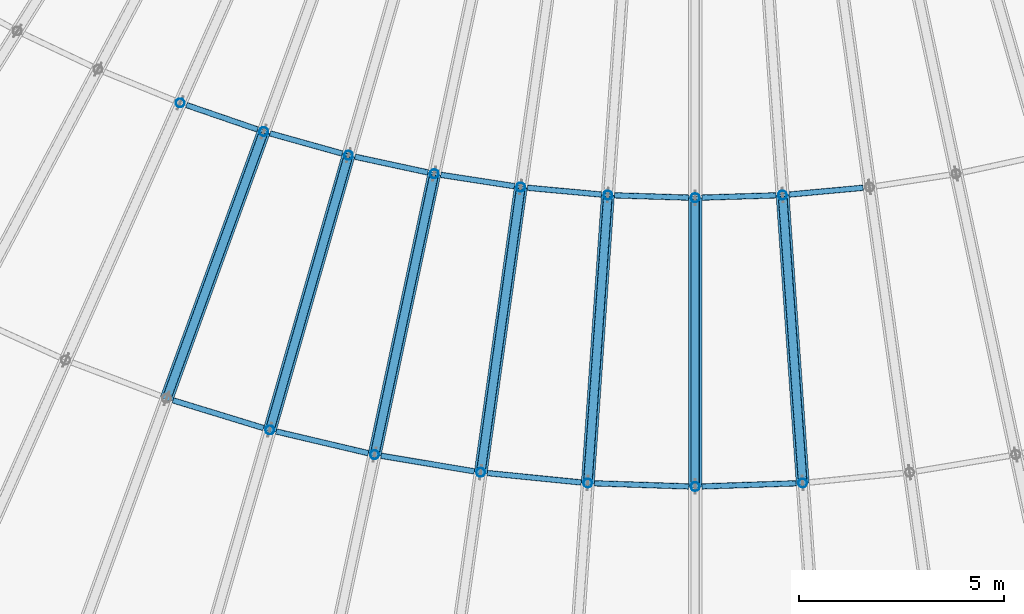
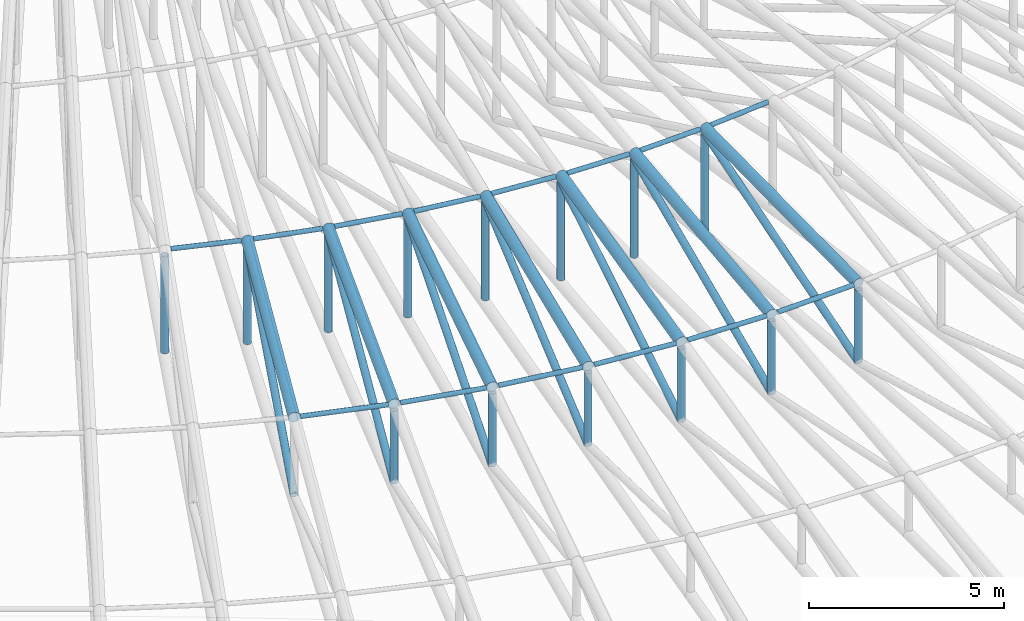
# One storey, part 30 of 163: 42 members.
"""IFC4 building model written with IfcOpenShell, lengths in metres."""

import ifcopenshell
import ifcopenshell.guid

model = None  # the IFC model being written
_history = None  # IfcOwnerHistory: only IFC2X3 demands one
_inside = {}  # id of a spatial element -> (the spatial element, [elements in it])
_under = {}  # id of a project, library or spatial element -> (it, [spatial elements below it])
_declared = {}  # id of a project -> (the project, [libraries it declares])
_typed = {}  # id of a type object -> (the type object, [elements of that type])
_made_of = {}  # id of a material, layer set ... -> (it, [elements and type objects made of it])


def new_model(schema):
    """Start an empty IFC model of exactly this schema.

    Asked for "IFC4X3", IfcOpenShell would pick the latest addendum, in which some entities
    have other attributes; the version numbers below select the first issue.
    IFC2X3 requires an IfcOwnerHistory on every rooted entity: one is made here for all.
    """
    global model, _history
    if schema == "IFC4X3":
        model = ifcopenshell.file(schema_version=(4, 3, 0, 0))
    else:
        model = ifcopenshell.file(schema=schema)
    _inside.clear()
    _under.clear()
    _declared.clear()
    _typed.clear()
    _made_of.clear()
    _history = None
    if model.schema == "IFC2X3":
        org = make("IfcOrganization", Name="unknown")
        user = make(
            "IfcPersonAndOrganization",
            ThePerson=make("IfcPerson", FamilyName="unknown"),
            TheOrganization=org,
        )
        app = make(
            "IfcApplication",
            ApplicationDeveloper=org,
            Version="unknown",
            ApplicationFullName="unknown",
            ApplicationIdentifier="unknown",
        )
        _history = make(
            "IfcOwnerHistory",
            OwningUser=user,
            OwningApplication=app,
            ChangeAction="ADDED",
            CreationDate=0,
        )
    return model


def make(cls, **values):
    """One entity of the class cls with the attributes given. An attribute that is None is left unset."""
    return model.create_entity(
        cls, **{name: value for name, value in values.items() if value is not None}
    )


def rooted(cls, **values):
    """An entity with a GlobalId (a new one), such as an element, a storey or a relation."""
    return make(cls, GlobalId=ifcopenshell.guid.new(), OwnerHistory=_history, **values)


def si_unit(unit_type, name, prefix=None):
    """IfcSIUnit, for example si_unit("LENGTHUNIT", "METRE", prefix="MILLI")."""
    return make("IfcSIUnit", UnitType=unit_type, Prefix=prefix, Name=name)


def assignment(units):
    """IfcUnitAssignment: the units of a project."""
    return None if units is None else make("IfcUnitAssignment", Units=units)


def point(xyz):
    """IfcCartesianPoint."""
    return None if xyz is None else make("IfcCartesianPoint", Coordinates=xyz)


def direction(xyz):
    """IfcDirection."""
    return None if xyz is None else make("IfcDirection", DirectionRatios=xyz)


def frame(location, z_axis=None, x_axis=None):
    """IfcAxis2Placement3D, a coordinate frame: its origin and axes. An axis left out is left unset."""
    return make(
        "IfcAxis2Placement3D",
        Location=point(location),
        Axis=direction(z_axis),
        RefDirection=direction(x_axis),
    )


def frame_2d(location, x_axis=None):
    """IfcAxis2Placement2D, a coordinate frame in the plane: its origin and x axis."""
    return make(
        "IfcAxis2Placement2D", Location=point(location), RefDirection=direction(x_axis)
    )


def origin():
    """The frame at (0, 0, 0) with its axes left unset."""
    return frame((0.0, 0.0, 0.0))


def origin_2d():
    """The frame at (0, 0) in the plane with its x axis left unset."""
    return frame_2d((0.0, 0.0))


def place(relative_to, where):
    """IfcLocalPlacement: puts the frame where relative to a parent placement (None: the world)."""
    return make(
        "IfcLocalPlacement", PlacementRelTo=relative_to, RelativePlacement=where
    )


def context(
    kind, dimensions, precision=None, world=None, true_north=None, identifier=None
):
    """IfcGeometricRepresentationContext, for example the 3D "Model" context."""
    return make(
        "IfcGeometricRepresentationContext",
        ContextIdentifier=identifier,
        ContextType=kind,
        CoordinateSpaceDimension=dimensions,
        Precision=precision,
        WorldCoordinateSystem=world,
        TrueNorth=true_north,
    )


def subcontext(parent, identifier, kind, view, scale=None):
    """IfcGeometricRepresentationSubContext, for example "Body" below "Model"."""
    return make(
        "IfcGeometricRepresentationSubContext",
        ContextIdentifier=identifier,
        ContextType=kind,
        ParentContext=parent,
        TargetScale=scale,
        TargetView=view,
    )


def project(units=None, contexts=None):
    """IfcProject with its units and contexts."""
    return rooted(
        "IfcProject",
        Name="project",
        RepresentationContexts=contexts,
        UnitsInContext=assignment(units),
    )


def spatial(cls, under=None, at=None, **own):
    """A site, building, storey or space (cls), placed at a placement, below another one or the project."""
    s = rooted(cls, ObjectPlacement=at, **own)
    if under is not None:
        _under.setdefault(under.id(), (under, []))[1].append(s)
    return s


def profile(cls, at=None, kind="AREA", **sizes):
    """A parametric profile (cls). Its sizes go by their IFC names, for example OverallWidth=200.0."""
    return make(cls, ProfileType=kind, Position=at, **sizes)


def hollow_circle(**sizes):
    """IfcCircleHollowProfileDef."""
    return profile("IfcCircleHollowProfileDef", **sizes)


def extrude(swept, where, along, depth):
    """IfcExtrudedAreaSolid: the profile swept, set in the frame where, extruded along a direction by depth."""
    return make(
        "IfcExtrudedAreaSolid",
        SweptArea=swept,
        Position=where,
        ExtrudedDirection=direction(along),
        Depth=depth,
    )


def shape(context_of_items, identifier, shape_type, items):
    """IfcShapeRepresentation: the items that make up one representation, for example the "Body"."""
    return make(
        "IfcShapeRepresentation",
        ContextOfItems=context_of_items,
        RepresentationIdentifier=identifier,
        RepresentationType=shape_type,
        Items=items,
    )


def material(Name=None, Category=None):
    """IfcMaterial."""
    return make("IfcMaterial", Name=Name, Category=Category)


def material_profile(
    of_material, cross_section, Name=None, Category=None, Priority=None
):
    """IfcMaterialProfile: a cross section and its material."""
    return make(
        "IfcMaterialProfile",
        Name=Name,
        Material=of_material,
        Profile=cross_section,
        Priority=Priority,
        Category=Category,
    )


def profile_set(profiles, Name=None, composite=None):
    """IfcMaterialProfileSet."""
    return make(
        "IfcMaterialProfileSet",
        Name=Name,
        MaterialProfiles=profiles,
        CompositeProfile=composite,
    )


def made_of(thing, what):
    """Note that an element or type object is made of a material, layer set ...; save() writes the relation."""
    if what is not None:
        _made_of.setdefault(what.id(), (what, []))[1].append(thing)
    return thing


def type_object(cls, material=None, **own):
    """A type object (cls), such as IfcWallType, which elements share."""
    return made_of(rooted(cls, **own), material)


def element(
    cls,
    number,
    at=None,
    inside=None,
    cuts=None,
    type_object=None,
    material=None,
    context=None,
    identifier="Body",
    shape_type=None,
    held_by="IfcProductDefinitionShape",
    body=None,
    shapes=None,
    **own,
):
    """One element of the class cls, such as IfcWall. Its Tag is "e" and its number.

    at: its placement. inside: the storey or other place that contains it. cuts: it is an
    opening in that element (IfcRelVoidsElement). A single representation is given by context,
    identifier, shape_type and body (its items); several are given by shapes. held_by: the class
    of the entity that holds the representations. save() writes the other relations.
    """
    e = rooted(cls, Tag="e%d" % number, ObjectPlacement=at, **own)
    if body is not None:
        shapes = [shape(context, identifier, shape_type, body)]
    if shapes is not None:
        e.Representation = make(held_by, Representations=shapes)
    if inside is not None:
        _inside.setdefault(inside.id(), (inside, []))[1].append(e)
    if cuts is not None:
        rooted(
            "IfcRelVoidsElement", RelatingBuildingElement=cuts, RelatedOpeningElement=e
        )
    if type_object is not None:
        _typed.setdefault(type_object.id(), (type_object, []))[1].append(e)
    return made_of(e, material)


def aggregate(whole, parts):
    """IfcRelAggregates: a whole, such as a stair, and the parts it consists of."""
    return rooted("IfcRelAggregates", RelatingObject=whole, RelatedObjects=parts)


def save(model, path):
    """Write the relations noted so far, then the file.

    IfcRelAggregates (storeys below a building ...), IfcRelContainedInSpatialStructure (elements
    in a storey), IfcRelDefinesByType, IfcRelAssociatesMaterial and IfcRelDeclares: one each for
    every whole, place, type object, material and project.
    """
    for whole, parts in _under.values():
        aggregate(whole, parts)
    for where, things in _inside.values():
        rooted(
            "IfcRelContainedInSpatialStructure",
            RelatedElements=things,
            RelatingStructure=where,
        )
    for kind, things in _typed.values():
        rooted("IfcRelDefinesByType", RelatedObjects=things, RelatingType=kind)
    for what, things in _made_of.values():
        rooted("IfcRelAssociatesMaterial", RelatedObjects=things, RelatingMaterial=what)
    for by, libraries in _declared.values():
        rooted("IfcRelDeclares", RelatingContext=by, RelatedDefinitions=libraries)
    model.write(path)


model = new_model("IFC4")

# Units and contexts
model_context = context("Model", 3, precision=1e-05, world=origin(), true_north=direction((0.0, 1.0)))
body_context = subcontext(model_context, "Body", "Model", "MODEL_VIEW")
ifc_project = project(units=[si_unit("LENGTHUNIT", "METRE"), si_unit("AREAUNIT", "SQUARE_METRE"), si_unit("VOLUMEUNIT", "CUBIC_METRE"), si_unit("PLANEANGLEUNIT", "RADIAN"), si_unit("MASSUNIT", "GRAM", prefix="KILO")], contexts=[model_context])

# Site, building, storey
site_placement = place(None, origin())
site = spatial("IfcSite", under=ifc_project, at=site_placement, CompositionType="ELEMENT")
building_placement = place(site_placement, origin())
building = spatial("IfcBuilding", under=site, at=building_placement, Name="Rain Tree Exposition and Congress Centre", CompositionType="ELEMENT")
storey_placement = place(building_placement, frame((0.0, 0.0, 10.5)))
storey = spatial("IfcBuildingStorey", under=building, at=storey_placement, Name="L02", CompositionType="ELEMENT", Elevation=10.5)

# Members
ifc_material_1 = material(Name="Steel S355J2H", Category="steel")
ifc_material_profile_1 = material_profile(ifc_material_1, hollow_circle(Radius=0.108154296875, WallThickness=0.008056640625, at=origin_2d()), Name="CHS 216x8")
ifc_profile_set_1 = profile_set([ifc_material_profile_1], Name="Steel S355J2H")
member_type_1 = type_object("IfcMemberType", Name="Steel brace member CHS 216x8", PredefinedType="BRACE", material=ifc_profile_set_1)
member_1_placement = place(storey_placement, frame((188.713134765625, 31.793701171875, 0.318603515625), z_axis=(0.313006046019, 0.859935451377, 0.403160308836), x_axis=(-0.939687304086, 0.342034750487, 0.0)))
element("IfcMember", 1, at=member_1_placement, inside=storey, type_object=member_type_1, Name="TD5-3", PredefinedType="BRACE", context=body_context, shape_type="SweptSolid", body=[
    extrude(hollow_circle(Radius=0.108154296875, WallThickness=0.008056640625, at=origin_2d()), origin(), (0.0, 0.0, 1.0), 7.5634765625),
])
member_2_placement = place(storey_placement, frame((191.226806640625, 31.024169921875, 0.318603515625), z_axis=(0.252369424601, 0.880132351862, 0.402090433526), x_axis=(-0.961262988359, 0.275632848571, 0.0)))
element("IfcMember", 2, at=member_2_placement, inside=storey, type_object=member_type_1, Name="TD6-3", PredefinedType="BRACE", context=body_context, shape_type="SweptSolid", body=[
    extrude(hollow_circle(Radius=0.108154296875, WallThickness=0.008056640625, at=origin_2d()), origin(), (0.0, 0.0, 1.0), 7.608642578125),
])
member_3_placement = place(storey_placement, frame((193.782470703125, 30.421630859375, 0.318603515625), z_axis=(0.190425371887, 0.895935242397, 0.401295675497), x_axis=(-0.978150163492, 0.207899633622, 0.0)))
element("IfcMember", 3, at=member_3_placement, inside=storey, type_object=member_type_1, Name="TD7-3", PredefinedType="BRACE", context=body_context, shape_type="SweptSolid", body=[
    extrude(hollow_circle(Radius=0.108154296875, WallThickness=0.008056640625, at=origin_2d()), origin(), (0.0, 0.0, 1.0), 7.642578125),
])
member_4_placement = place(storey_placement, frame((196.370361328125, 29.9892578125, 0.318603515625), z_axis=(0.12751623293, 0.907263347577, 0.400765303493), x_axis=(-0.990266762271, 0.139182396663, 0.0)))
element("IfcMember", 4, at=member_4_placement, inside=storey, type_object=member_type_1, Name="TD8-3", PredefinedType="BRACE", context=body_context, shape_type="SweptSolid", body=[
    extrude(hollow_circle(Radius=0.108154296875, WallThickness=0.008056640625, at=origin_2d()), origin(), (0.0, 0.0, 1.0), 7.666015625),
])
member_5_placement = place(storey_placement, frame((198.979736328125, 29.72900390625, 0.318603515625), z_axis=(0.06392819778, 0.914100112956, 0.400417493403), x_axis=(-0.997563435782, 0.069765260628, 0.0)))
element("IfcMember", 5, at=member_5_placement, inside=storey, type_object=member_type_1, Name="TD9-3", PredefinedType="BRACE", context=body_context, shape_type="SweptSolid", body=[
    extrude(hollow_circle(Radius=0.108154296875, WallThickness=0.008056640625, at=origin_2d()), origin(), (0.0, 0.0, 1.0), 7.679931640625),
])
member_6_placement = place(storey_placement, frame((201.60009765625, 29.64208984375, 0.318603515625), z_axis=(0.0, 0.916370115858, 0.400332125569), x_axis=(-1.0, 0.0, 0.0)))
element("IfcMember", 6, at=member_6_placement, inside=storey, type_object=member_type_1, Name="TD10-3", PredefinedType="BRACE", context=body_context, shape_type="SweptSolid", body=[
    extrude(hollow_circle(Radius=0.108154296875, WallThickness=0.008056640625, at=origin_2d()), origin(), (0.0, 0.0, 1.0), 7.6845703125),
])
member_7_placement = place(storey_placement, frame((204.22021484375, 29.72900390625, 0.318603515625), z_axis=(-0.06392819778, 0.914100112956, 0.400417493403), x_axis=(-0.997563435782, -0.069765260628, 0.0)))
element("IfcMember", 7, at=member_7_placement, inside=storey, type_object=member_type_1, Name="TD11-3", PredefinedType="BRACE", context=body_context, shape_type="SweptSolid", body=[
    extrude(hollow_circle(Radius=0.108154296875, WallThickness=0.008056640625, at=origin_2d()), origin(), (0.0, 0.0, 1.0), 7.679931640625),
])
ifc_material_2 = material(Name="Steel S355J2H", Category="steel")
ifc_material_profile_2 = material_profile(ifc_material_2, hollow_circle(Radius=0.1591796875, WallThickness=0.010009765625, at=origin_2d()), Name="CHS 318x10")
ifc_profile_set_2 = profile_set([ifc_material_profile_2], Name="Steel S355J2H")
member_type_2 = type_object("IfcMemberType", Name="Steel chord member CHS 318x10", PredefinedType="CHORD", material=ifc_profile_set_2)
member_8_placement = place(storey_placement, frame((188.713134765625, 31.793701171875, 2.750244140625), z_axis=(0.339891280094, 0.933798452408, 0.111778208953), x_axis=(-0.939687304086, 0.342034750487, 0.0)))
element("IfcMember", 8, at=member_8_placement, inside=storey, type_object=member_type_2, Name="TT5-3", PredefinedType="CHORD", context=body_context, shape_type="SweptSolid", body=[
    extrude(hollow_circle(Radius=0.1591796875, WallThickness=0.010009765625, at=origin_2d()), origin(), (0.0, 0.0, 1.0), 6.96533203125),
])
member_9_placement = place(storey_placement, frame((191.226806640625, 31.024169921875, 2.755126953125), z_axis=(0.273905113539, 0.955237553624, 0.111790898215), x_axis=(-0.961262988359, 0.275632848571, 0.0)))
element("IfcMember", 9, at=member_9_placement, inside=storey, type_object=member_type_2, Name="TT6-3", PredefinedType="CHORD", context=body_context, shape_type="SweptSolid", body=[
    extrude(hollow_circle(Radius=0.1591796875, WallThickness=0.010009765625, at=origin_2d()), origin(), (0.0, 0.0, 1.0), 7.01025390625),
])
member_10_placement = place(storey_placement, frame((193.782470703125, 30.421630859375, 2.759033203125), z_axis=(0.206596900837, 0.972020916099, 0.111772354504), x_axis=(-0.978150163492, 0.207899633622, 0.0)))
element("IfcMember", 10, at=member_10_placement, inside=storey, type_object=member_type_2, Name="TT7-3", PredefinedType="CHORD", context=body_context, shape_type="SweptSolid", body=[
    extrude(hollow_circle(Radius=0.1591796875, WallThickness=0.010009765625, at=origin_2d()), origin(), (0.0, 0.0, 1.0), 7.044189453125),
])
member_11_placement = place(storey_placement, frame((196.370361328125, 29.9892578125, 2.76171875), z_axis=(0.138310120206, 0.98406061549, 0.11178110614), x_axis=(-0.990266762271, 0.139182396663, 0.0)))
element("IfcMember", 11, at=member_11_placement, inside=storey, type_object=member_type_2, Name="TT8-3", PredefinedType="CHORD", context=body_context, shape_type="SweptSolid", body=[
    extrude(hollow_circle(Radius=0.1591796875, WallThickness=0.010009765625, at=origin_2d()), origin(), (0.0, 0.0, 1.0), 7.067626953125),
])
member_12_placement = place(storey_placement, frame((198.979736328125, 29.72900390625, 2.76318359375), z_axis=(0.069327881216, 0.991309410428, 0.111800257973), x_axis=(-0.997563435782, 0.069765260628, 0.0)))
element("IfcMember", 12, at=member_12_placement, inside=storey, type_object=member_type_2, Name="TT9-3", PredefinedType="CHORD", context=body_context, shape_type="SweptSolid", body=[
    extrude(hollow_circle(Radius=0.1591796875, WallThickness=0.010009765625, at=origin_2d()), origin(), (0.0, 0.0, 1.0), 7.081787109375),
])
member_13_placement = place(storey_placement, frame((201.60009765625, 29.64208984375, 2.763671875), z_axis=(0.0, 0.993731124787, 0.111796474134), x_axis=(-1.0, 0.0, 0.0)))
element("IfcMember", 13, at=member_13_placement, inside=storey, type_object=member_type_2, Name="TT10-3", PredefinedType="CHORD", context=body_context, shape_type="SweptSolid", body=[
    extrude(hollow_circle(Radius=0.1591796875, WallThickness=0.010009765625, at=origin_2d()), origin(), (0.0, 0.0, 1.0), 7.08642578125),
])
member_14_placement = place(storey_placement, frame((204.22021484375, 29.72900390625, 2.76318359375), z_axis=(-0.069327881216, 0.991309410428, 0.111800257973), x_axis=(-0.997563435782, -0.069765260628, 0.0)))
element("IfcMember", 14, at=member_14_placement, inside=storey, type_object=member_type_2, Name="TT11-3", PredefinedType="CHORD", context=body_context, shape_type="SweptSolid", body=[
    extrude(hollow_circle(Radius=0.1591796875, WallThickness=0.010009765625, at=origin_2d()), origin(), (0.0, 0.0, 1.0), 7.081787109375),
])
ifc_material_3 = material(Name="Steel S355J2H", Category="steel")
ifc_material_profile_3 = material_profile(ifc_material_3, hollow_circle(Radius=0.108154296875, WallThickness=0.008056640625, at=origin_2d()), Name="CHS 216x8")
ifc_profile_set_3 = profile_set([ifc_material_profile_3], Name="Steel S355J2H")
member_type_3 = type_object("IfcMemberType", Name="Steel post member CHS 216x8", PredefinedType="POST", material=ifc_profile_set_3)
member_15_placement = place(storey_placement, frame((189.04345703125, 38.99755859375, 0.318603515625), z_axis=(0.0, 0.0, 1.0), x_axis=(1.0, 0.0, 0.0)))
element("IfcMember", 15, at=member_15_placement, inside=storey, type_object=member_type_3, Name="TP4-3", PredefinedType="POST", context=body_context, shape_type="SweptSolid", body=[
    extrude(hollow_circle(Radius=0.108154296875, WallThickness=0.008056640625, at=origin_2d()), origin(), (0.0, 0.0, 1.0), 3.036376953125),
])
member_16_placement = place(storey_placement, frame((191.08056640625, 38.2978515625, 0.318603515625), z_axis=(0.0, 0.0, 1.0), x_axis=(1.0, 0.0, 0.0)))
element("IfcMember", 16, at=member_16_placement, inside=storey, type_object=member_type_3, Name="TP5-3", PredefinedType="POST", context=body_context, shape_type="SweptSolid", body=[
    extrude(hollow_circle(Radius=0.108154296875, WallThickness=0.008056640625, at=origin_2d()), origin(), (0.0, 0.0, 1.0), 3.04931640625),
])
member_17_placement = place(storey_placement, frame((191.226806640625, 31.024169921875, 0.318603515625), z_axis=(0.0, 0.0, 1.0), x_axis=(1.0, 0.0, 0.0)))
element("IfcMember", 17, at=member_17_placement, inside=storey, type_object=member_type_3, Name="TP6-2", PredefinedType="POST", context=body_context, shape_type="SweptSolid", body=[
    extrude(hollow_circle(Radius=0.108154296875, WallThickness=0.008056640625, at=origin_2d()), origin(), (0.0, 0.0, 1.0), 2.275634765625),
])
member_18_placement = place(storey_placement, frame((193.14697265625, 37.720703125, 0.318603515625), z_axis=(0.0, 0.0, 1.0), x_axis=(1.0, 0.0, 0.0)))
element("IfcMember", 18, at=member_18_placement, inside=storey, type_object=member_type_3, Name="TP6-3", PredefinedType="POST", context=body_context, shape_type="SweptSolid", body=[
    extrude(hollow_circle(Radius=0.108154296875, WallThickness=0.008056640625, at=origin_2d()), origin(), (0.0, 0.0, 1.0), 3.059326171875),
])
member_19_placement = place(storey_placement, frame((193.782470703125, 30.421630859375, 0.318603515625), z_axis=(0.0, 0.0, 1.0), x_axis=(1.0, 0.0, 0.0)))
element("IfcMember", 19, at=member_19_placement, inside=storey, type_object=member_type_3, Name="TP7-2", PredefinedType="POST", context=body_context, shape_type="SweptSolid", body=[
    extrude(hollow_circle(Radius=0.108154296875, WallThickness=0.008056640625, at=origin_2d()), origin(), (0.0, 0.0, 1.0), 2.279296875),
])
member_20_placement = place(storey_placement, frame((195.23779296875, 37.268798828125, 0.318603515625), z_axis=(0.0, 0.0, 1.0), x_axis=(1.0, 0.0, 0.0)))
element("IfcMember", 20, at=member_20_placement, inside=storey, type_object=member_type_3, Name="TP7-3", PredefinedType="POST", context=body_context, shape_type="SweptSolid", body=[
    extrude(hollow_circle(Radius=0.108154296875, WallThickness=0.008056640625, at=origin_2d()), origin(), (0.0, 0.0, 1.0), 3.06689453125),
])
member_21_placement = place(storey_placement, frame((196.370361328125, 29.9892578125, 0.318603515625), z_axis=(0.0, 0.0, 1.0), x_axis=(1.0, 0.0, 0.0)))
element("IfcMember", 21, at=member_21_placement, inside=storey, type_object=member_type_3, Name="TP8-2", PredefinedType="POST", context=body_context, shape_type="SweptSolid", body=[
    extrude(hollow_circle(Radius=0.108154296875, WallThickness=0.008056640625, at=origin_2d()), origin(), (0.0, 0.0, 1.0), 2.281982421875),
])
member_22_placement = place(storey_placement, frame((197.347900390625, 36.9443359375, 0.318603515625), z_axis=(0.0, 0.0, 1.0), x_axis=(1.0, 0.0, 0.0)))
element("IfcMember", 22, at=member_22_placement, inside=storey, type_object=member_type_3, Name="TP8-3", PredefinedType="POST", context=body_context, shape_type="SweptSolid", body=[
    extrude(hollow_circle(Radius=0.108154296875, WallThickness=0.008056640625, at=origin_2d()), origin(), (0.0, 0.0, 1.0), 3.072265625),
])
member_23_placement = place(storey_placement, frame((198.979736328125, 29.72900390625, 0.318603515625), z_axis=(0.0, 0.0, 1.0), x_axis=(1.0, 0.0, 0.0)))
element("IfcMember", 23, at=member_23_placement, inside=storey, type_object=member_type_3, Name="TP9-2", PredefinedType="POST", context=body_context, shape_type="SweptSolid", body=[
    extrude(hollow_circle(Radius=0.108154296875, WallThickness=0.008056640625, at=origin_2d()), origin(), (0.0, 0.0, 1.0), 2.28369140625),
])
member_24_placement = place(storey_placement, frame((199.470703125, 36.749267578125, 0.318603515625), z_axis=(0.0, 0.0, 1.0), x_axis=(1.0, 0.0, 0.0)))
element("IfcMember", 24, at=member_24_placement, inside=storey, type_object=member_type_3, Name="TP9-3", PredefinedType="POST", context=body_context, shape_type="SweptSolid", body=[
    extrude(hollow_circle(Radius=0.108154296875, WallThickness=0.008056640625, at=origin_2d()), origin(), (0.0, 0.0, 1.0), 3.0751953125),
])
member_25_placement = place(storey_placement, frame((201.60009765625, 29.64208984375, 0.318603515625), z_axis=(0.0, 0.0, 1.0), x_axis=(1.0, 0.0, 0.0)))
element("IfcMember", 25, at=member_25_placement, inside=storey, type_object=member_type_3, Name="TP10-2", PredefinedType="POST", context=body_context, shape_type="SweptSolid", body=[
    extrude(hollow_circle(Radius=0.108154296875, WallThickness=0.008056640625, at=origin_2d()), origin(), (0.0, 0.0, 1.0), 2.2841796875),
])
member_26_placement = place(storey_placement, frame((201.60009765625, 36.68408203125, 0.318603515625), z_axis=(0.0, 0.0, 1.0), x_axis=(1.0, 0.0, 0.0)))
element("IfcMember", 26, at=member_26_placement, inside=storey, type_object=member_type_3, Name="TP10-3", PredefinedType="POST", context=body_context, shape_type="SweptSolid", body=[
    extrude(hollow_circle(Radius=0.108154296875, WallThickness=0.008056640625, at=origin_2d()), origin(), (0.0, 0.0, 1.0), 3.076416015625),
])
member_27_placement = place(storey_placement, frame((204.22021484375, 29.72900390625, 0.318603515625), z_axis=(0.0, 0.0, 1.0), x_axis=(1.0, 0.0, 0.0)))
element("IfcMember", 27, at=member_27_placement, inside=storey, type_object=member_type_3, Name="TP11-2", PredefinedType="POST", context=body_context, shape_type="SweptSolid", body=[
    extrude(hollow_circle(Radius=0.108154296875, WallThickness=0.008056640625, at=origin_2d()), origin(), (0.0, 0.0, 1.0), 2.28369140625),
])
member_28_placement = place(storey_placement, frame((203.729248046875, 36.749267578125, 0.318603515625), z_axis=(0.0, 0.0, 1.0), x_axis=(1.0, 0.0, 0.0)))
element("IfcMember", 28, at=member_28_placement, inside=storey, type_object=member_type_3, Name="TP11-3", PredefinedType="POST", context=body_context, shape_type="SweptSolid", body=[
    extrude(hollow_circle(Radius=0.108154296875, WallThickness=0.008056640625, at=origin_2d()), origin(), (0.0, 0.0, 1.0), 3.0751953125),
])
ifc_material_4 = material(Name="Steel S355J2H", Category="steel")
ifc_material_profile_4 = material_profile(ifc_material_4, hollow_circle(Radius=0.06982421875, WallThickness=0.0048828125, at=origin_2d()), Name="CHS 140x5")
ifc_profile_set_4 = profile_set([ifc_material_profile_4], Name="Steel S355J2H")
member_type_4 = type_object("IfcMemberType", Name="Steel purlin member CHS 140x5", PredefinedType="PURLIN", material=ifc_profile_set_4)
member_29_placement = place(storey_placement, frame((189.194091796875, 38.94580078125, 3.516845703125), z_axis=(0.945739924151, -0.324869446445, 0.005986537711), x_axis=(0.32487526804, 0.94575687162, 0.0)))
element("IfcMember", 29, at=member_29_placement, inside=storey, type_object=member_type_4, Name="PU4-3", PredefinedType="PURLIN", context=body_context, shape_type="SweptSolid", body=[
    extrude(hollow_circle(Radius=0.06982421875, WallThickness=0.0048828125, at=origin_2d()), origin(), (0.0, 0.0, 1.0), 1.835205078125),
])
member_30_placement = place(storey_placement, frame((188.865478515625, 31.747314453125, 2.75048828125), z_axis=(0.956162603954, -0.292830081295, 0.001902180247), x_axis=(0.292830611068, 0.956164333795, 0.0)))
element("IfcMember", 30, at=member_30_placement, inside=storey, type_object=member_type_4, Name="PU5-2", PredefinedType="PURLIN", context=body_context, shape_type="SweptSolid", body=[
    extrude(hollow_circle(Radius=0.06982421875, WallThickness=0.0048828125, at=origin_2d()), origin(), (0.0, 0.0, 1.0), 2.310302734375),
])
member_31_placement = place(storey_placement, frame((191.23388671875, 38.2548828125, 3.529541015625), z_axis=(0.963125392869, -0.269012268051, 0.004677312162), x_axis=(0.269015210724, 0.963135928309, 0.0)))
element("IfcMember", 31, at=member_31_placement, inside=storey, type_object=member_type_4, Name="PU5-3", PredefinedType="PURLIN", context=body_context, shape_type="SweptSolid", body=[
    extrude(hollow_circle(Radius=0.06982421875, WallThickness=0.0048828125, at=origin_2d()), origin(), (0.0, 0.0, 1.0), 1.826904296875),
])
member_32_placement = place(storey_placement, frame((191.3818359375, 30.987548828125, 2.75537109375), z_axis=(0.973327207993, -0.229416545654, 0.001481472158), x_axis=(0.229416797412, 0.973328276105, 0.0)))
element("IfcMember", 32, at=member_32_placement, inside=storey, type_object=member_type_4, Name="PU6-2", PredefinedType="PURLIN", context=body_context, shape_type="SweptSolid", body=[
    extrude(hollow_circle(Radius=0.06982421875, WallThickness=0.0048828125, at=origin_2d()), origin(), (0.0, 0.0, 1.0), 2.30712890625),
])
member_33_placement = place(storey_placement, frame((193.302490234375, 37.68701171875, 3.53955078125), z_axis=(0.977441897581, -0.211175718613, 0.003486075355), x_axis=(0.211177001805, 0.977447836925, 0.0)))
element("IfcMember", 33, at=member_33_placement, inside=storey, type_object=member_type_4, Name="PU6-3", PredefinedType="PURLIN", context=body_context, shape_type="SweptSolid", body=[
    extrude(hollow_circle(Radius=0.06982421875, WallThickness=0.0048828125, at=origin_2d()), origin(), (0.0, 0.0, 1.0), 1.82080078125),
])
member_34_placement = place(storey_placement, frame((193.939697265625, 30.3955078125, 2.75927734375), z_axis=(0.986310341959, -0.164896940022, 0.000953161503), x_axis=(0.164897014928, 0.986310789999, 0.0)))
element("IfcMember", 34, at=member_34_placement, inside=storey, type_object=member_type_4, Name="PU7-2", PredefinedType="PURLIN", context=body_context, shape_type="SweptSolid", body=[
    extrude(hollow_circle(Radius=0.06982421875, WallThickness=0.0048828125, at=origin_2d()), origin(), (0.0, 0.0, 1.0), 2.30517578125),
])
member_35_placement = place(storey_placement, frame((195.3955078125, 37.24462890625, 3.546875), z_axis=(0.988370027534, -0.152046586118, 0.002554275098), x_axis=(0.152047082121, 0.988373251772, 0.0)))
element("IfcMember", 35, at=member_35_placement, inside=storey, type_object=member_type_4, Name="PU7-3", PredefinedType="PURLIN", context=body_context, shape_type="SweptSolid", body=[
    extrude(hollow_circle(Radius=0.06982421875, WallThickness=0.0048828125, at=origin_2d()), origin(), (0.0, 0.0, 1.0), 1.816162109375),
])
member_36_placement = place(storey_placement, frame((196.52880859375, 29.973388671875, 2.76171875), z_axis=(0.995057951104, -0.099293855185, 0.000635819777), x_axis=(0.099293875255, 0.995058152239, 0.0)))
element("IfcMember", 36, at=member_36_placement, inside=storey, type_object=member_type_4, Name="PU8-2", PredefinedType="PURLIN", context=body_context, shape_type="SweptSolid", body=[
    extrude(hollow_circle(Radius=0.06982421875, WallThickness=0.0048828125, at=origin_2d()), origin(), (0.0, 0.0, 1.0), 2.303955078125),
])
member_37_placement = place(storey_placement, frame((197.506591796875, 36.9296875, 3.552001953125), z_axis=(0.995810029659, -0.09143407845, 0.001481259003), x_axis=(0.091434178759, 0.995811122128, 0.0)))
element("IfcMember", 37, at=member_37_placement, inside=storey, type_object=member_type_4, Name="PU8-3", PredefinedType="PURLIN", context=body_context, shape_type="SweptSolid", body=[
    extrude(hollow_circle(Radius=0.06982421875, WallThickness=0.0048828125, at=origin_2d()), origin(), (0.0, 0.0, 1.0), 1.81298828125),
])
member_38_placement = place(storey_placement, frame((199.138916015625, 29.7236328125, 2.76318359375), z_axis=(0.999449463165, -0.033177185488, 0.000211994795), x_axis=(0.033177186234, 0.999449485624, 0.0)))
element("IfcMember", 38, at=member_38_placement, inside=storey, type_object=member_type_4, Name="PU9-2", PredefinedType="PURLIN", context=body_context, shape_type="SweptSolid", body=[
    extrude(hollow_circle(Radius=0.06982421875, WallThickness=0.0048828125, at=origin_2d()), origin(), (0.0, 0.0, 1.0), 2.30322265625),
])
member_39_placement = place(storey_placement, frame((199.6298828125, 36.744384765625, 3.554931640625), z_axis=(0.999531965454, -0.030586917789, 0.000538976525), x_axis=(0.030586922232, 0.999532110634, 0.0)))
element("IfcMember", 39, at=member_39_placement, inside=storey, type_object=member_type_4, Name="PU9-3", PredefinedType="PURLIN", context=body_context, shape_type="SweptSolid", body=[
    extrude(hollow_circle(Radius=0.06982421875, WallThickness=0.0048828125, at=origin_2d()), origin(), (0.0, 0.0, 1.0), 1.811767578125),
])
member_40_placement = place(storey_placement, frame((201.75927734375, 29.647216796875, 2.763671875), z_axis=(0.999449346468, 0.03318070062, -0.000212017256), x_axis=(-0.033180701366, 0.999449368931, 0.0)))
element("IfcMember", 40, at=member_40_placement, inside=storey, type_object=member_type_4, Name="PU10-2", PredefinedType="PURLIN", context=body_context, shape_type="SweptSolid", body=[
    extrude(hollow_circle(Radius=0.06982421875, WallThickness=0.0048828125, at=origin_2d()), origin(), (0.0, 0.0, 1.0), 2.302978515625),
])
member_41_placement = place(storey_placement, frame((201.75927734375, 36.68896484375, 3.555908203125), z_axis=(0.999531839328, 0.030591037822, -0.000539049125), x_axis=(-0.030591042267, 0.999531984547, 0.0)))
element("IfcMember", 41, at=member_41_placement, inside=storey, type_object=member_type_4, Name="PU10-3", PredefinedType="PURLIN", context=body_context, shape_type="SweptSolid", body=[
    extrude(hollow_circle(Radius=0.06982421875, WallThickness=0.0048828125, at=origin_2d()), origin(), (0.0, 0.0, 1.0), 1.8115234375),
])
member_42_placement = place(storey_placement, frame((203.887939453125, 36.763916015625, 3.5546875), z_axis=(0.995811155511, 0.091421819171, -0.001481060399), x_axis=(-0.09142191944, 0.995812247688, 0.0)))
element("IfcMember", 42, at=member_42_placement, inside=storey, type_object=member_type_4, Name="PU11-3", PredefinedType="PURLIN", context=body_context, shape_type="SweptSolid", body=[
    extrude(hollow_circle(Radius=0.06982421875, WallThickness=0.0048828125, at=origin_2d()), origin(), (0.0, 0.0, 1.0), 1.813232421875),
])

save(model, "model.ifc")
